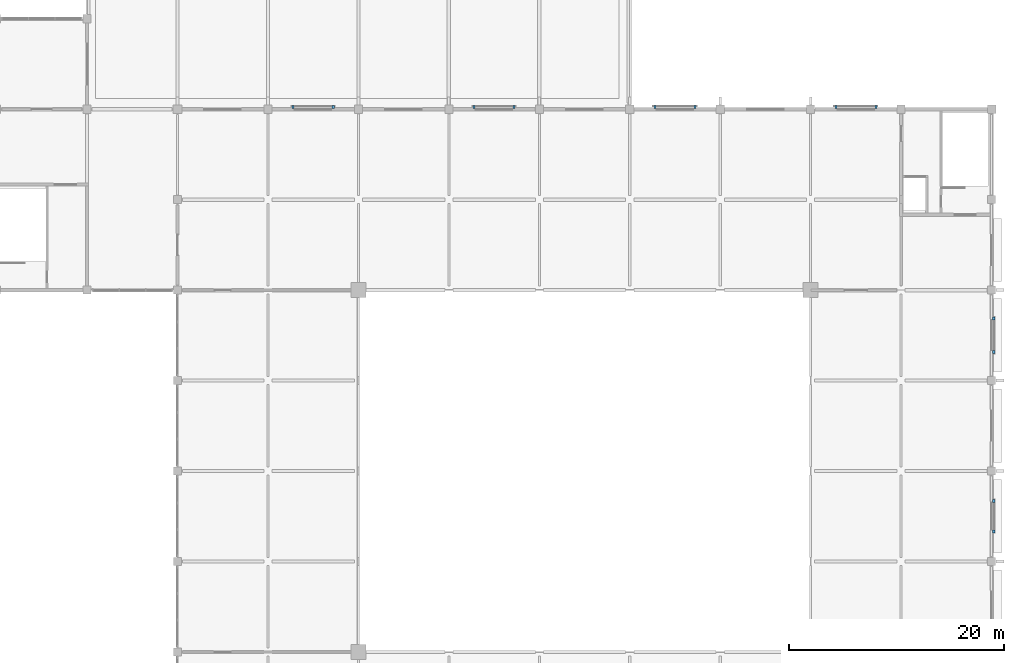
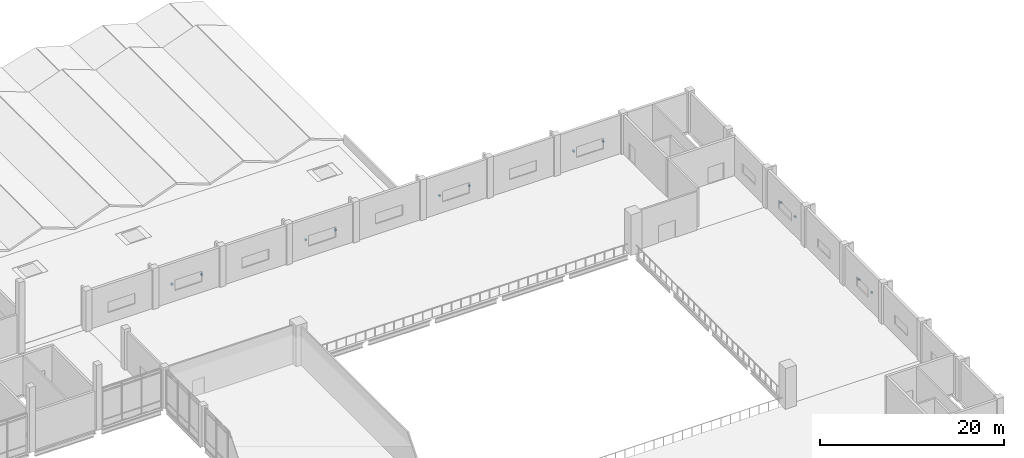
# One storey, part 68 of 72: 12 discrete accessories.
"""IFC4 building model written with IfcOpenShell, lengths in metres."""

import ifcopenshell
import ifcopenshell.guid

model = None  # the IFC model being written
_history = None  # IfcOwnerHistory: only IFC2X3 demands one
_inside = {}  # id of a spatial element -> (the spatial element, [elements in it])
_under = {}  # id of a project, library or spatial element -> (it, [spatial elements below it])
_declared = {}  # id of a project -> (the project, [libraries it declares])
_typed = {}  # id of a type object -> (the type object, [elements of that type])
_made_of = {}  # id of a material, layer set ... -> (it, [elements and type objects made of it])


def new_model(schema):
    """Start an empty IFC model of exactly this schema.

    Asked for "IFC4X3", IfcOpenShell would pick the latest addendum, in which some entities
    have other attributes; the version numbers below select the first issue.
    IFC2X3 requires an IfcOwnerHistory on every rooted entity: one is made here for all.
    """
    global model, _history
    if schema == "IFC4X3":
        model = ifcopenshell.file(schema_version=(4, 3, 0, 0))
    else:
        model = ifcopenshell.file(schema=schema)
    _inside.clear()
    _under.clear()
    _declared.clear()
    _typed.clear()
    _made_of.clear()
    _history = None
    if model.schema == "IFC2X3":
        org = make("IfcOrganization", Name="unknown")
        user = make(
            "IfcPersonAndOrganization",
            ThePerson=make("IfcPerson", FamilyName="unknown"),
            TheOrganization=org,
        )
        app = make(
            "IfcApplication",
            ApplicationDeveloper=org,
            Version="unknown",
            ApplicationFullName="unknown",
            ApplicationIdentifier="unknown",
        )
        _history = make(
            "IfcOwnerHistory",
            OwningUser=user,
            OwningApplication=app,
            ChangeAction="ADDED",
            CreationDate=0,
        )
    return model


def make(cls, **values):
    """One entity of the class cls with the attributes given. An attribute that is None is left unset."""
    return model.create_entity(
        cls, **{name: value for name, value in values.items() if value is not None}
    )


def rooted(cls, **values):
    """An entity with a GlobalId (a new one), such as an element, a storey or a relation."""
    return make(cls, GlobalId=ifcopenshell.guid.new(), OwnerHistory=_history, **values)


def si_unit(unit_type, name, prefix=None):
    """IfcSIUnit, for example si_unit("LENGTHUNIT", "METRE", prefix="MILLI")."""
    return make("IfcSIUnit", UnitType=unit_type, Prefix=prefix, Name=name)


def assignment(units):
    """IfcUnitAssignment: the units of a project."""
    return None if units is None else make("IfcUnitAssignment", Units=units)


def point(xyz):
    """IfcCartesianPoint."""
    return None if xyz is None else make("IfcCartesianPoint", Coordinates=xyz)


def direction(xyz):
    """IfcDirection."""
    return None if xyz is None else make("IfcDirection", DirectionRatios=xyz)


def frame(location, z_axis=None, x_axis=None):
    """IfcAxis2Placement3D, a coordinate frame: its origin and axes. An axis left out is left unset."""
    return make(
        "IfcAxis2Placement3D",
        Location=point(location),
        Axis=direction(z_axis),
        RefDirection=direction(x_axis),
    )


def frame_2d(location, x_axis=None):
    """IfcAxis2Placement2D, a coordinate frame in the plane: its origin and x axis."""
    return make(
        "IfcAxis2Placement2D", Location=point(location), RefDirection=direction(x_axis)
    )


def origin():
    """The frame at (0, 0, 0) with its axes left unset."""
    return frame((0.0, 0.0, 0.0))


def origin_2d():
    """The frame at (0, 0) in the plane with its x axis left unset."""
    return frame_2d((0.0, 0.0))


def place(relative_to, where):
    """IfcLocalPlacement: puts the frame where relative to a parent placement (None: the world)."""
    return make(
        "IfcLocalPlacement", PlacementRelTo=relative_to, RelativePlacement=where
    )


def context(
    kind, dimensions, precision=None, world=None, true_north=None, identifier=None
):
    """IfcGeometricRepresentationContext, for example the 3D "Model" context."""
    return make(
        "IfcGeometricRepresentationContext",
        ContextIdentifier=identifier,
        ContextType=kind,
        CoordinateSpaceDimension=dimensions,
        Precision=precision,
        WorldCoordinateSystem=world,
        TrueNorth=true_north,
    )


def subcontext(parent, identifier, kind, view, scale=None):
    """IfcGeometricRepresentationSubContext, for example "Body" below "Model"."""
    return make(
        "IfcGeometricRepresentationSubContext",
        ContextIdentifier=identifier,
        ContextType=kind,
        ParentContext=parent,
        TargetScale=scale,
        TargetView=view,
    )


def project(units=None, contexts=None):
    """IfcProject with its units and contexts."""
    return rooted(
        "IfcProject",
        Name="project",
        RepresentationContexts=contexts,
        UnitsInContext=assignment(units),
    )


def spatial(cls, under=None, at=None, **own):
    """A site, building, storey or space (cls), placed at a placement, below another one or the project."""
    s = rooted(cls, ObjectPlacement=at, **own)
    if under is not None:
        _under.setdefault(under.id(), (under, []))[1].append(s)
    return s


def profile(cls, at=None, kind="AREA", **sizes):
    """A parametric profile (cls). Its sizes go by their IFC names, for example OverallWidth=200.0."""
    return make(cls, ProfileType=kind, Position=at, **sizes)


def rectangle(**sizes):
    """IfcRectangleProfileDef."""
    return profile("IfcRectangleProfileDef", **sizes)


def extrude(swept, where, along, depth):
    """IfcExtrudedAreaSolid: the profile swept, set in the frame where, extruded along a direction by depth."""
    return make(
        "IfcExtrudedAreaSolid",
        SweptArea=swept,
        Position=where,
        ExtrudedDirection=direction(along),
        Depth=depth,
    )


def shape(context_of_items, identifier, shape_type, items):
    """IfcShapeRepresentation: the items that make up one representation, for example the "Body"."""
    return make(
        "IfcShapeRepresentation",
        ContextOfItems=context_of_items,
        RepresentationIdentifier=identifier,
        RepresentationType=shape_type,
        Items=items,
    )


def material(Name=None, Category=None):
    """IfcMaterial."""
    return make("IfcMaterial", Name=Name, Category=Category)


def made_of(thing, what):
    """Note that an element or type object is made of a material, layer set ...; save() writes the relation."""
    if what is not None:
        _made_of.setdefault(what.id(), (what, []))[1].append(thing)
    return thing


def type_object(cls, material=None, **own):
    """A type object (cls), such as IfcWallType, which elements share."""
    return made_of(rooted(cls, **own), material)


def element(
    cls,
    number,
    at=None,
    inside=None,
    cuts=None,
    type_object=None,
    material=None,
    context=None,
    identifier="Body",
    shape_type=None,
    held_by="IfcProductDefinitionShape",
    body=None,
    shapes=None,
    **own,
):
    """One element of the class cls, such as IfcWall. Its Tag is "e" and its number.

    at: its placement. inside: the storey or other place that contains it. cuts: it is an
    opening in that element (IfcRelVoidsElement). A single representation is given by context,
    identifier, shape_type and body (its items); several are given by shapes. held_by: the class
    of the entity that holds the representations. save() writes the other relations.
    """
    e = rooted(cls, Tag="e%d" % number, ObjectPlacement=at, **own)
    if body is not None:
        shapes = [shape(context, identifier, shape_type, body)]
    if shapes is not None:
        e.Representation = make(held_by, Representations=shapes)
    if inside is not None:
        _inside.setdefault(inside.id(), (inside, []))[1].append(e)
    if cuts is not None:
        rooted(
            "IfcRelVoidsElement", RelatingBuildingElement=cuts, RelatedOpeningElement=e
        )
    if type_object is not None:
        _typed.setdefault(type_object.id(), (type_object, []))[1].append(e)
    return made_of(e, material)


def aggregate(whole, parts):
    """IfcRelAggregates: a whole, such as a stair, and the parts it consists of."""
    return rooted("IfcRelAggregates", RelatingObject=whole, RelatedObjects=parts)


def save(model, path):
    """Write the relations noted so far, then the file.

    IfcRelAggregates (storeys below a building ...), IfcRelContainedInSpatialStructure (elements
    in a storey), IfcRelDefinesByType, IfcRelAssociatesMaterial and IfcRelDeclares: one each for
    every whole, place, type object, material and project.
    """
    for whole, parts in _under.values():
        aggregate(whole, parts)
    for where, things in _inside.values():
        rooted(
            "IfcRelContainedInSpatialStructure",
            RelatedElements=things,
            RelatingStructure=where,
        )
    for kind, things in _typed.values():
        rooted("IfcRelDefinesByType", RelatedObjects=things, RelatingType=kind)
    for what, things in _made_of.values():
        rooted("IfcRelAssociatesMaterial", RelatedObjects=things, RelatingMaterial=what)
    for by, libraries in _declared.values():
        rooted("IfcRelDeclares", RelatingContext=by, RelatedDefinitions=libraries)
    model.write(path)


model = new_model("IFC4")

# Units and contexts
model_context = context("Model", 3, precision=1e-05, world=origin(), true_north=direction((0.0, 1.0)))
body_context = subcontext(model_context, "Body", "Model", "MODEL_VIEW")
ifc_project = project(units=[si_unit("LENGTHUNIT", "METRE"), si_unit("AREAUNIT", "SQUARE_METRE"), si_unit("VOLUMEUNIT", "CUBIC_METRE"), si_unit("PLANEANGLEUNIT", "RADIAN"), si_unit("MASSUNIT", "GRAM", prefix="KILO")], contexts=[model_context])

# Site, building, storey
site_placement = place(None, origin())
site = spatial("IfcSite", under=ifc_project, at=site_placement, CompositionType="ELEMENT")
building_placement = place(site_placement, origin())
building = spatial("IfcBuilding", under=site, at=building_placement, Name="Qawsi Khor Wholesale Market", CompositionType="ELEMENT")
storey_placement = place(building_placement, frame((0.0, 0.0, 6.0)))
storey = spatial("IfcBuildingStorey", under=building, at=storey_placement, Name="L01", CompositionType="ELEMENT", Elevation=6.0)

# Discrete accessories
ifc_material = material(Name="Steel S355", Category="steel")
discrete_accessory_type = type_object("IfcDiscreteAccessoryType", Name="Screen Fixing Bracket Steel S355", PredefinedType="BRACKET", material=ifc_material)
for number, where, z_axis, x_axis, name in (
    (1, (218.60498046875, 72.81005859375, 2.02490234375), (0.0, 0.0, 1.0), (1.0, 0.0, 0.0), "Screen bracket 093-1"),
    (2, (218.60498046875, 69.989990234375, 2.02490234375), (0.0, 0.0, 1.0), (1.0, 0.0, 0.0), "Screen bracket 093-2"),
    (3, (218.60498046875, 89.760009765625, 1.97509765625), (0.0, 0.0, 1.0), (1.0, 0.0, 0.0), "Screen bracket 094-1"),
    (4, (218.60498046875, 86.639892578125, 1.97509765625), (0.0, 0.0, 1.0), (1.0, 0.0, 0.0), "Screen bracket 094-2"),
    (5, (153.5400390625, 109.405029296875, 2.0), (0.0, 0.0, 1.0), (1.0, 0.0, 0.0), "Screen bracket 097-1"),
    (6, (157.260009765625, 109.405029296875, 2.0), (0.0, 0.0, 1.0), (1.0, 0.0, 0.0), "Screen bracket 097-2"),
    (7, (170.340087890625, 109.405029296875, 2.0), (0.0, 0.0, 1.0), (1.0, 0.0, 0.0), "Screen bracket 098-1"),
    (8, (174.06005859375, 109.405029296875, 2.0), (0.0, 0.0, 1.0), (1.0, 0.0, 0.0), "Screen bracket 098-2"),
    (9, (187.139892578125, 109.405029296875, 2.0), (0.0, 0.0, 1.0), (1.0, 0.0, 0.0), "Screen bracket 099-1"),
    (10, (190.860107421875, 109.405029296875, 2.0), (0.0, 0.0, 1.0), (1.0, 0.0, 0.0), "Screen bracket 099-2"),
    (11, (203.93994140625, 109.405029296875, 2.0), (0.0, 0.0, 1.0), (1.0, 0.0, 0.0), "Screen bracket 100-1"),
    (12, (207.659912109375, 109.405029296875, 2.0), (0.0, 0.0, 1.0), (1.0, 0.0, 0.0), "Screen bracket 100-2"),
):
    element("IfcDiscreteAccessory", number, at=place(storey_placement, frame(where, z_axis=z_axis, x_axis=x_axis)), inside=storey, type_object=discrete_accessory_type, Name=name, PredefinedType="BRACKET", context=body_context, shape_type="SweptSolid", body=[
        extrude(rectangle(XDim=0.199951171875, YDim=0.280029296875, at=origin_2d()), origin(), (0.0, 0.0, 1.0), 0.199951171875),
    ])

save(model, "model.ifc")
